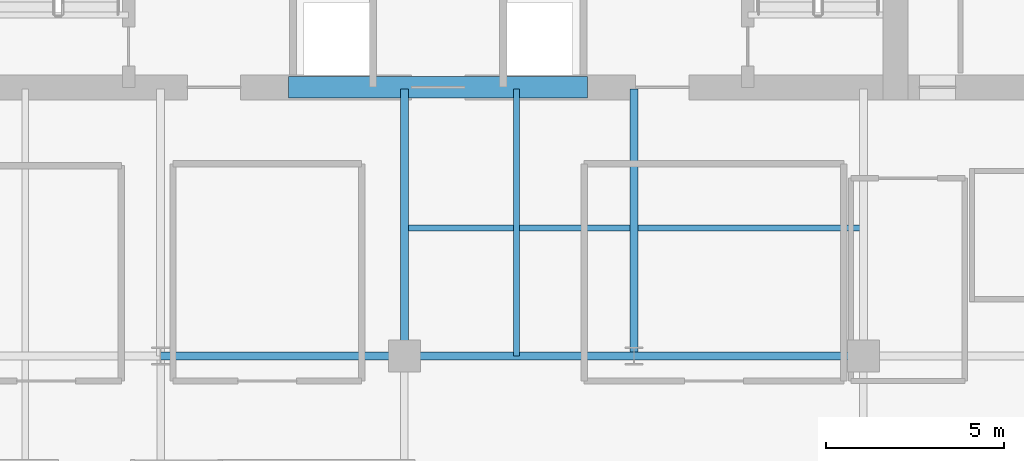
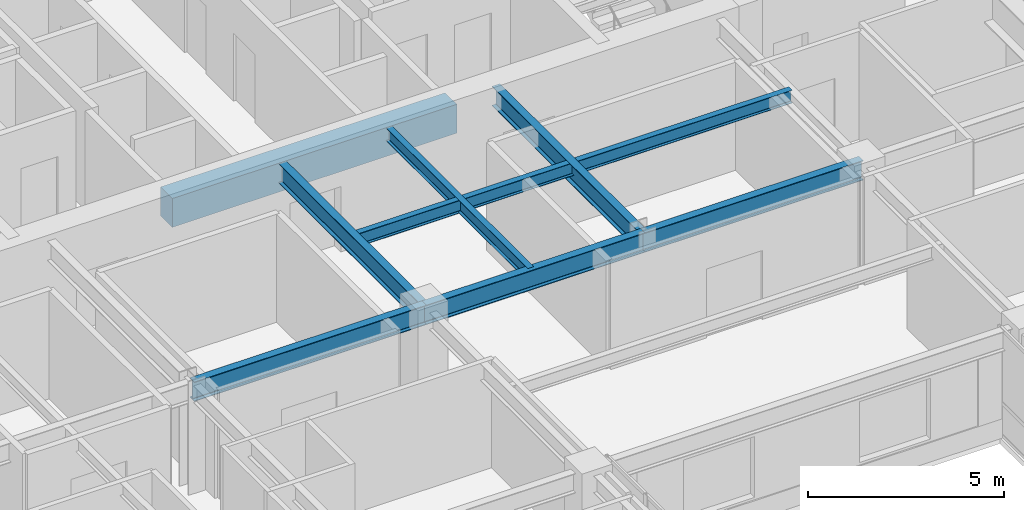
# One storey, part 6 of 24: 8 beams.
"""IFC4 building model written with IfcOpenShell, lengths in metres."""

from ifc_helpers import new_model, si_unit, direction, frame, origin, origin_2d, place, context, subcontext, project, spatial, rectangle, i_section, extrude, source, transform, mapped, material, material_profile, profile_set, type_object, type_shapes, element, save


model = new_model("IFC4")

# Units and contexts
model_context = context("Model", 3, precision=1e-05, world=origin(), true_north=direction((0.0, 1.0)))
body_context = subcontext(model_context, "Body", "Model", "MODEL_VIEW")
ifc_project = project(units=[si_unit("LENGTHUNIT", "METRE"), si_unit("AREAUNIT", "SQUARE_METRE"), si_unit("VOLUMEUNIT", "CUBIC_METRE"), si_unit("PLANEANGLEUNIT", "RADIAN"), si_unit("MASSUNIT", "GRAM", prefix="KILO")], contexts=[model_context])

# Site, building, storey
site_placement = place(None, origin())
site = spatial("IfcSite", under=ifc_project, at=site_placement, CompositionType="ELEMENT")
building_placement = place(site_placement, origin())
building = spatial("IfcBuilding", under=site, at=building_placement, Name="Tolvann Quenvar Hotel", CompositionType="ELEMENT")
storey_placement = place(building_placement, frame((0.0, 0.0, 139.949951171875)))
storey = spatial("IfcBuildingStorey", under=building, at=storey_placement, Name="L36", CompositionType="ELEMENT", Elevation=139.949951171875)

# Beams
ifc_material_1 = material(Name="Concrete N50 (50 MPa)", Category="concrete")
ifc_material_profile_1 = material_profile(ifc_material_1, rectangle(XDim=0.60009765625, YDim=0.89990234375, at=origin_2d()), Name="RC600x900")
ifc_profile_set_1 = profile_set([ifc_material_profile_1], Name="Concrete N50 (50 MPa)")
beam_type_1 = type_object("IfcBeamType", Name="BM_LINT_RC600x900", PredefinedType="LINTEL", material=ifc_profile_set_1)
shared_shape_1 = source(origin(), body_context, "Body", "SweptSolid", [
    extrude(rectangle(XDim=0.60009765625, YDim=0.89990234375, at=origin_2d()), origin(), (0.0, 0.0, 1.0), 8.39990234375),
])
type_shapes(beam_type_1, [shared_shape_1])
beam_1_placement = place(storey_placement, frame((18.800048828125, 31.949951171875, 2.920166015625), z_axis=(1.0, 0.0, 0.0), x_axis=(0.0, 1.0, 0.0)))
element("IfcBeam", 1, at=beam_1_placement, inside=storey, type_object=beam_type_1, Name="Core Coupling Lintel Beam (L36)", PredefinedType="LINTEL", context=body_context, shape_type="MappedRepresentation", body=[
    mapped(shared_shape_1, transform((0.0, 0.0, 0.0), x_axis=(1.0, 0.0, 0.0), y_axis=(0.0, 1.0, 0.0), z_axis=(0.0, 0.0, 1.0), scale=1.0)),
])
ifc_material_2 = material(Name="Steel Grade 350", Category="steel")
ifc_material_profile_2 = material_profile(ifc_material_2, i_section(OverallWidth=0.22900390625, OverallDepth=0.612060546875, WebThickness=0.011962890625, FlangeThickness=0.01953125, FilletRadius=0.013916015625, at=origin_2d()), Name="610UB125")
ifc_profile_set_2 = profile_set([ifc_material_profile_2], Name="Steel Grade 350")
beam_type_2 = type_object("IfcBeamType", Name="BM_GIRD_610UB125", PredefinedType="BEAM", material=ifc_profile_set_2)
shared_shape_2 = source(origin(), body_context, "Body", "SweptSolid", [
    extrude(i_section(OverallWidth=0.22900390625, OverallDepth=0.612060546875, WebThickness=0.011962890625, FlangeThickness=0.01953125, FilletRadius=0.013916015625, at=origin_2d()), origin(), (0.0, 0.0, 1.0), 6.85009765625),
])
beam_2_placement = place(storey_placement, frame((15.199951171875, 24.39990234375, 3.06396484375), z_axis=(1.0, 0.0, 0.0), x_axis=(0.0, 1.0, 0.0)))
element("IfcBeam", 2, at=beam_2_placement, inside=storey, type_object=beam_type_2, Name="BM-L36-EW-5-D5-E5", PredefinedType="BEAM", context=body_context, shape_type="MappedRepresentation", body=[
    mapped(shared_shape_2, transform((0.0, 0.0, 0.0), x_axis=(1.0, 0.0, 0.0), y_axis=(0.0, 1.0, 0.0), z_axis=(0.0, 0.0, 1.0), scale=1.0)),
])
shared_shape_3 = source(origin(), body_context, "Body", "SweptSolid", [
    extrude(i_section(OverallWidth=0.22900390625, OverallDepth=0.612060546875, WebThickness=0.011962890625, FlangeThickness=0.01953125, FilletRadius=0.013916015625, at=origin_2d()), origin(), (0.0, 0.0, 1.0), 6.449951171875),
])
for number, where, z_axis, x_axis, name in (
    (3, (22.050048828125, 24.39990234375, 3.06396484375), (1.0, 0.0, 0.0), (0.0, 1.0, 0.0), "BM-L36-EW-5-E5-M5"),
    (4, (28.5, 24.39990234375, 3.06396484375), (1.0, 0.0, 0.0), (0.0, 1.0, 0.0), "BM-L36-EW-5-M5-F5"),
):
    element("IfcBeam", number, at=place(storey_placement, frame(where, z_axis=z_axis, x_axis=x_axis)), inside=storey, type_object=beam_type_2, Name=name, PredefinedType="BEAM", context=body_context, shape_type="MappedRepresentation", body=[
        mapped(shared_shape_3, transform((0.0, 0.0, 0.0), x_axis=(1.0, 0.0, 0.0), y_axis=(0.0, 1.0, 0.0), z_axis=(0.0, 0.0, 1.0), scale=1.0)),
    ])
shared_shape_4 = source(origin(), body_context, "Body", "SweptSolid", [
    extrude(i_section(OverallWidth=0.22900390625, OverallDepth=0.612060546875, WebThickness=0.011962890625, FlangeThickness=0.01953125, FilletRadius=0.013916015625, at=origin_2d()), origin(), (0.0, 0.0, 1.0), 7.5),
])
type_shapes(beam_type_2, [shared_shape_2, shared_shape_3, shared_shape_4])
for number, where, z_axis, x_axis, name in (
    (5, (22.050048828125, 24.39990234375, 3.06396484375), (0.0, 1.0, 0.0), (-1.0, 0.0, 0.0), "BM-L36-CORE-E5"),
    (6, (28.5, 24.39990234375, 3.06396484375), (0.0, 1.0, 0.0), (-1.0, 0.0, 0.0), "BM-L36-CORE-M5"),
):
    element("IfcBeam", number, at=place(storey_placement, frame(where, z_axis=z_axis, x_axis=x_axis)), inside=storey, type_object=beam_type_2, Name=name, PredefinedType="BEAM", context=body_context, shape_type="MappedRepresentation", body=[
        mapped(shared_shape_4, transform((0.0, 0.0, 0.0), x_axis=(1.0, 0.0, 0.0), y_axis=(0.0, 1.0, 0.0), z_axis=(0.0, 0.0, 1.0), scale=1.0)),
    ])
ifc_material_profile_3 = material_profile(ifc_material_2, i_section(OverallWidth=0.177978515625, OverallDepth=0.406005859375, WebThickness=0.0078125, FlangeThickness=0.0126953125, FilletRadius=0.011474609375, at=origin_2d()), Name="410UB60")
ifc_profile_set_3 = profile_set([ifc_material_profile_3], Name="Steel Grade 350")
beam_type_3 = type_object("IfcBeamType", Name="BM_JOIST_410UB60", PredefinedType="JOIST", material=ifc_profile_set_3)
shared_shape_5 = source(origin(), body_context, "Body", "SweptSolid", [
    extrude(i_section(OverallWidth=0.177978515625, OverallDepth=0.406005859375, WebThickness=0.0078125, FlangeThickness=0.0126953125, FilletRadius=0.011474609375, at=origin_2d()), origin(), (0.0, 0.0, 1.0), 12.89990234375),
])
beam_3_placement = place(storey_placement, frame((22.050048828125, 28.0, 3.1669921875), z_axis=(1.0, 0.0, 0.0), x_axis=(0.0, 1.0, 0.0)))
element("IfcBeam", 7, at=beam_3_placement, inside=storey, type_object=beam_type_3, Name="BM-L36-SPINE-28", PredefinedType="JOIST", context=body_context, shape_type="MappedRepresentation", body=[
    mapped(shared_shape_5, transform((0.0, 0.0, 0.0), x_axis=(1.0, 0.0, 0.0), y_axis=(0.0, 1.0, 0.0), z_axis=(0.0, 0.0, 1.0), scale=1.0)),
])
shared_shape_6 = source(origin(), body_context, "Body", "SweptSolid", [
    extrude(i_section(OverallWidth=0.177978515625, OverallDepth=0.406005859375, WebThickness=0.0078125, FlangeThickness=0.0126953125, FilletRadius=0.011474609375, at=origin_2d()), origin(), (0.0, 0.0, 1.0), 7.5),
])
type_shapes(beam_type_3, [shared_shape_5, shared_shape_6])
beam_4_placement = place(storey_placement, frame((25.199951171875, 24.39990234375, 3.1669921875), z_axis=(0.0, 1.0, 0.0), x_axis=(-1.0, 0.0, 0.0)))
element("IfcBeam", 8, at=beam_4_placement, inside=storey, type_object=beam_type_3, Name="BJ-L36-252-244", PredefinedType="JOIST", context=body_context, shape_type="MappedRepresentation", body=[
    mapped(shared_shape_6, transform((0.0, 0.0, 0.0), x_axis=(1.0, 0.0, 0.0), y_axis=(0.0, 1.0, 0.0), z_axis=(0.0, 0.0, 1.0), scale=1.0)),
])

save(model, "model.ifc")
